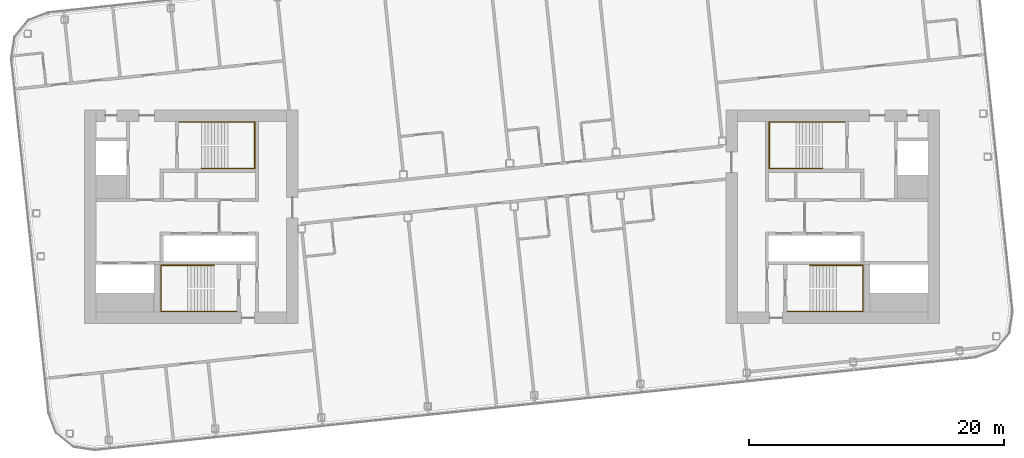
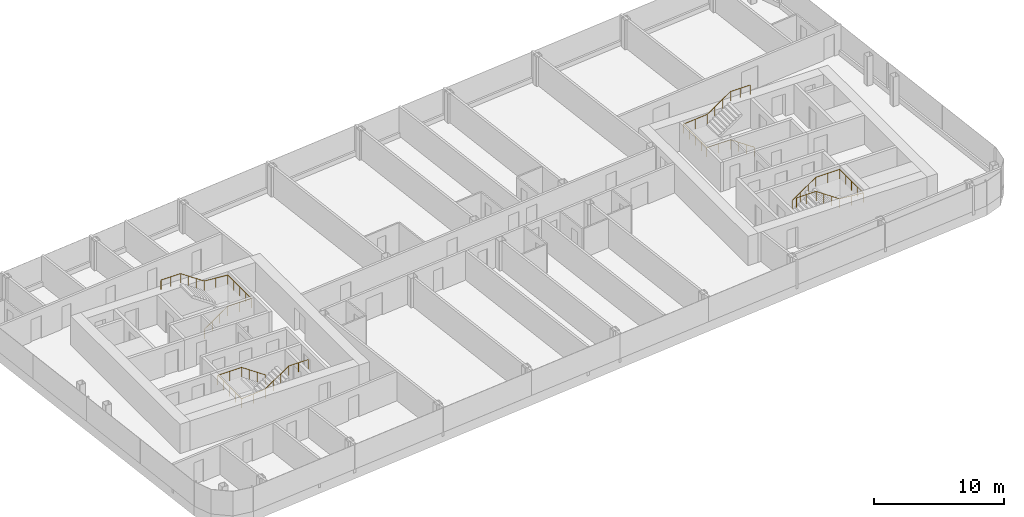
# One storey, part 27 of 27: 4 railings.
"""IFC4 building model written with IfcOpenShell, lengths in metres."""

from ifc_helpers import new_model, si_unit, direction, frame, origin, origin_2d, place, context, subcontext, project, spatial, circle, extrude, material, type_object, element, save


model = new_model("IFC4")

# Units and contexts
model_context = context("Model", 3, precision=1e-05, world=origin(), true_north=direction((0.0, 1.0)))
body_context = subcontext(model_context, "Body", "Model", "MODEL_VIEW")
ifc_project = project(units=[si_unit("LENGTHUNIT", "METRE"), si_unit("AREAUNIT", "SQUARE_METRE"), si_unit("VOLUMEUNIT", "CUBIC_METRE"), si_unit("PLANEANGLEUNIT", "RADIAN"), si_unit("MASSUNIT", "GRAM", prefix="KILO")], contexts=[model_context])

# Site, building, storey
site_placement = place(None, origin())
site = spatial("IfcSite", under=ifc_project, at=site_placement, CompositionType="ELEMENT")
building_placement = place(site_placement, origin())
building = spatial("IfcBuilding", under=site, at=building_placement, Name="Hakoniwa Tower and Hamabe Station Hall", CompositionType="ELEMENT")
storey_placement = place(building_placement, frame((0.0, 0.0, 248.60009765625)))
storey = spatial("IfcBuildingStorey", under=building, at=storey_placement, Name="L70", CompositionType="ELEMENT", Elevation=248.60009765625)

# Railings
ifc_material = material(Name="Stainless steel SUS304", Category="steel")
railing_type = type_object("IfcRailingType", Name="STAIR HANDRAIL 900", PredefinedType="HANDRAIL", material=ifc_material)
railing_1_placement = place(storey_placement, frame((-24.39990234375, 3.81005859375, 0.177734375)))
element("IfcRailing", 1, at=railing_1_placement, inside=storey, type_object=railing_type, Name="Handrail ST-1 L70 1", PredefinedType="HANDRAIL", context=body_context, shape_type="SweptSolid", body=[
    extrude(circle(Radius=0.02392578125, at=origin_2d()), frame((0.0, 0.0, 0.8759765625), z_axis=(0.825478349766, 0.0, 0.564433781827), x_axis=(0.0, 1.0, 0.0)), (0.0, 0.0, 1.0), 2.51953125),
    extrude(circle(Radius=0.02392578125, at=origin_2d()), frame((2.079833984375, 0.0, 2.2978515625), z_axis=(1.0, 0.0, 0.0), x_axis=(0.0, 1.0, 0.0)), (0.0, 0.0, 1.0), 2.110107421875),
    extrude(circle(Radius=0.02392578125, at=origin_2d()), frame((4.18994140625, 0.0, 2.2978515625), z_axis=(0.0, 1.0, 0.0), x_axis=(-1.0, 0.0, 0.0)), (0.0, 0.0, 1.0), 3.6298828125),
    extrude(circle(Radius=0.02392578125, at=origin_2d()), frame((4.18994140625, 3.6298828125, 2.2978515625), z_axis=(-0.996471417081, 0.0, 0.083932800143), x_axis=(0.0, -1.0, 0.0)), (0.0, 0.0, 1.0), 2.11767578125),
    extrude(circle(Radius=0.02392578125, at=origin_2d()), frame((2.079833984375, 3.6298828125, 2.4755859375), z_axis=(-0.825433201882, 0.0, 0.564499804456), x_axis=(0.0, -1.0, 0.0)), (0.0, 0.0, 1.0), 2.519775390625),
    extrude(circle(Radius=0.02392578125, at=origin_2d()), frame((0.0, 3.6298828125, 3.89794921875), z_axis=(-1.0, 0.0, 0.0), x_axis=(0.0, -1.0, 0.0)), (0.0, 0.0, 1.0), 1.739990234375),
    extrude(circle(Radius=0.02099609375, at=origin_2d()), origin(), (0.0, 0.0, 1.0), 0.851806640625),
    extrude(circle(Radius=0.02099609375, at=origin_2d()), frame((0.693359375, 0.0, 0.47412109375)), (0.0, 0.0, 1.0), 0.851806640625),
    extrude(circle(Radius=0.02099609375, at=origin_2d()), frame((1.386474609375, 0.0, 0.947998046875)), (0.0, 0.0, 1.0), 0.851806640625),
    extrude(circle(Radius=0.02099609375, at=origin_2d()), frame((2.079833984375, 0.0, 1.422119140625)), (0.0, 0.0, 1.0), 0.851806640625),
    extrude(circle(Radius=0.02099609375, at=origin_2d()), frame((3.134765625, 0.0, 1.422119140625)), (0.0, 0.0, 1.0), 0.851806640625),
    extrude(circle(Radius=0.02099609375, at=origin_2d()), frame((4.18994140625, 0.0, 1.422119140625)), (0.0, 0.0, 1.0), 0.851806640625),
    extrude(circle(Radius=0.02099609375, at=origin_2d()), frame((4.18994140625, 0.907470703125, 1.422119140625)), (0.0, 0.0, 1.0), 0.851806640625),
    extrude(circle(Radius=0.02099609375, at=origin_2d()), frame((4.18994140625, 1.81494140625, 1.422119140625)), (0.0, 0.0, 1.0), 0.851806640625),
    extrude(circle(Radius=0.02099609375, at=origin_2d()), frame((4.18994140625, 2.722412109375, 1.422119140625)), (0.0, 0.0, 1.0), 0.851806640625),
    extrude(circle(Radius=0.02099609375, at=origin_2d()), frame((4.18994140625, 3.6298828125, 1.422119140625)), (0.0, 0.0, 1.0), 0.851806640625),
    extrude(circle(Radius=0.02099609375, at=origin_2d()), frame((3.134765625, 3.6298828125, 1.510986328125)), (0.0, 0.0, 1.0), 0.851806640625),
    extrude(circle(Radius=0.02099609375, at=origin_2d()), frame((2.079833984375, 3.6298828125, 1.599853515625)), (0.0, 0.0, 1.0), 0.851806640625),
    extrude(circle(Radius=0.02099609375, at=origin_2d()), frame((1.386474609375, 3.6298828125, 2.073974609375)), (0.0, 0.0, 1.0), 0.851806640625),
    extrude(circle(Radius=0.02099609375, at=origin_2d()), frame((0.693359375, 3.6298828125, 2.548095703125)), (0.0, 0.0, 1.0), 0.851806640625),
    extrude(circle(Radius=0.02099609375, at=origin_2d()), frame((0.0, 3.6298828125, 3.022216796875)), (0.0, 0.0, 1.0), 0.851806640625),
    extrude(circle(Radius=0.02099609375, at=origin_2d()), frame((-0.8701171875, 3.6298828125, 3.022216796875)), (0.0, 0.0, 1.0), 0.851806640625),
    extrude(circle(Radius=0.02099609375, at=origin_2d()), frame((-1.739990234375, 3.6298828125, 3.022216796875)), (0.0, 0.0, 1.0), 0.851806640625),
])
railing_2_placement = place(storey_placement, frame((-23.39990234375, -3.81005859375, 0.177734375)))
element("IfcRailing", 2, at=railing_2_placement, inside=storey, type_object=railing_type, Name="Handrail ST-2 L70 1", PredefinedType="HANDRAIL", context=body_context, shape_type="SweptSolid", body=[
    extrude(circle(Radius=0.02392578125, at=origin_2d()), frame((0.0, 0.0, 0.8759765625), z_axis=(-0.82550921652, 0.0, 0.564388636881), x_axis=(0.0, -1.0, 0.0)), (0.0, 0.0, 1.0), 2.519775390625),
    extrude(circle(Radius=0.02392578125, at=origin_2d()), frame((-2.080078125, 0.0, 2.2978515625), z_axis=(-1.0, 0.0, 0.0), x_axis=(0.0, -1.0, 0.0)), (0.0, 0.0, 1.0), 2.110107421875),
    extrude(circle(Radius=0.02392578125, at=origin_2d()), frame((-4.190185546875, 0.0, 2.2978515625), z_axis=(0.0, -1.0, 0.0), x_axis=(1.0, 0.0, 0.0)), (0.0, 0.0, 1.0), 3.6298828125),
    extrude(circle(Radius=0.02392578125, at=origin_2d()), frame((-4.190185546875, -3.6298828125, 2.2978515625), z_axis=(0.996471417081, 0.0, 0.083932800143), x_axis=(0.0, 1.0, 0.0)), (0.0, 0.0, 1.0), 2.11767578125),
    extrude(circle(Radius=0.02392578125, at=origin_2d()), frame((-2.080078125, -3.6298828125, 2.4755859375), z_axis=(0.825464074169, 0.0, 0.564454659168), x_axis=(0.0, 1.0, 0.0)), (0.0, 0.0, 1.0), 2.519775390625),
    extrude(circle(Radius=0.02392578125, at=origin_2d()), frame((0.0, -3.6298828125, 3.89794921875), z_axis=(1.0, 0.0, 0.0), x_axis=(0.0, 1.0, 0.0)), (0.0, 0.0, 1.0), 1.739990234375),
    extrude(circle(Radius=0.02099609375, at=origin_2d()), origin(), (0.0, 0.0, 1.0), 0.851806640625),
    extrude(circle(Radius=0.02099609375, at=origin_2d()), frame((-0.693359375, 0.0, 0.47412109375)), (0.0, 0.0, 1.0), 0.851806640625),
    extrude(circle(Radius=0.02099609375, at=origin_2d()), frame((-1.38671875, 0.0, 0.947998046875)), (0.0, 0.0, 1.0), 0.851806640625),
    extrude(circle(Radius=0.02099609375, at=origin_2d()), frame((-2.080078125, 0.0, 1.422119140625)), (0.0, 0.0, 1.0), 0.851806640625),
    extrude(circle(Radius=0.02099609375, at=origin_2d()), frame((-3.13525390625, 0.0, 1.422119140625)), (0.0, 0.0, 1.0), 0.851806640625),
    extrude(circle(Radius=0.02099609375, at=origin_2d()), frame((-4.190185546875, 0.0, 1.422119140625)), (0.0, 0.0, 1.0), 0.851806640625),
    extrude(circle(Radius=0.02099609375, at=origin_2d()), frame((-4.190185546875, -0.907470703125, 1.422119140625)), (0.0, 0.0, 1.0), 0.851806640625),
    extrude(circle(Radius=0.02099609375, at=origin_2d()), frame((-4.190185546875, -1.81494140625, 1.422119140625)), (0.0, 0.0, 1.0), 0.851806640625),
    extrude(circle(Radius=0.02099609375, at=origin_2d()), frame((-4.190185546875, -2.722412109375, 1.422119140625)), (0.0, 0.0, 1.0), 0.851806640625),
    extrude(circle(Radius=0.02099609375, at=origin_2d()), frame((-4.190185546875, -3.6298828125, 1.422119140625)), (0.0, 0.0, 1.0), 0.851806640625),
    extrude(circle(Radius=0.02099609375, at=origin_2d()), frame((-3.13525390625, -3.6298828125, 1.510986328125)), (0.0, 0.0, 1.0), 0.851806640625),
    extrude(circle(Radius=0.02099609375, at=origin_2d()), frame((-2.080078125, -3.6298828125, 1.599853515625)), (0.0, 0.0, 1.0), 0.851806640625),
    extrude(circle(Radius=0.02099609375, at=origin_2d()), frame((-1.38671875, -3.6298828125, 2.073974609375)), (0.0, 0.0, 1.0), 0.851806640625),
    extrude(circle(Radius=0.02099609375, at=origin_2d()), frame((-0.693359375, -3.6298828125, 2.548095703125)), (0.0, 0.0, 1.0), 0.851806640625),
    extrude(circle(Radius=0.02099609375, at=origin_2d()), frame((0.0, -3.6298828125, 3.022216796875)), (0.0, 0.0, 1.0), 0.851806640625),
    extrude(circle(Radius=0.02099609375, at=origin_2d()), frame((0.8701171875, -3.6298828125, 3.022216796875)), (0.0, 0.0, 1.0), 0.851806640625),
    extrude(circle(Radius=0.02099609375, at=origin_2d()), frame((1.739990234375, -3.6298828125, 3.022216796875)), (0.0, 0.0, 1.0), 0.851806640625),
])
railing_3_placement = place(storey_placement, frame((24.39990234375, 3.81005859375, 0.177734375)))
element("IfcRailing", 3, at=railing_3_placement, inside=storey, type_object=railing_type, Name="Handrail ST-3 L70 1", PredefinedType="HANDRAIL", context=body_context, shape_type="SweptSolid", body=[
    extrude(circle(Radius=0.02392578125, at=origin_2d()), frame((0.0, 0.0, 0.8759765625), z_axis=(-0.825478349766, 0.0, 0.564433781827), x_axis=(0.0, -1.0, 0.0)), (0.0, 0.0, 1.0), 2.51953125),
    extrude(circle(Radius=0.02392578125, at=origin_2d()), frame((-2.079833984375, 0.0, 2.2978515625), z_axis=(-1.0, 0.0, 0.0), x_axis=(0.0, -1.0, 0.0)), (0.0, 0.0, 1.0), 2.110107421875),
    extrude(circle(Radius=0.02392578125, at=origin_2d()), frame((-4.18994140625, 0.0, 2.2978515625), z_axis=(0.0, 1.0, 0.0), x_axis=(-1.0, 0.0, 0.0)), (0.0, 0.0, 1.0), 3.6298828125),
    extrude(circle(Radius=0.02392578125, at=origin_2d()), frame((-4.18994140625, 3.6298828125, 2.2978515625), z_axis=(0.996471417081, 0.0, 0.083932800143), x_axis=(0.0, 1.0, 0.0)), (0.0, 0.0, 1.0), 2.11767578125),
    extrude(circle(Radius=0.02392578125, at=origin_2d()), frame((-2.079833984375, 3.6298828125, 2.4755859375), z_axis=(0.825433201882, 0.0, 0.564499804456), x_axis=(0.0, 1.0, 0.0)), (0.0, 0.0, 1.0), 2.519775390625),
    extrude(circle(Radius=0.02392578125, at=origin_2d()), frame((0.0, 3.6298828125, 3.89794921875), z_axis=(1.0, 0.0, 0.0), x_axis=(0.0, 1.0, 0.0)), (0.0, 0.0, 1.0), 1.739990234375),
    extrude(circle(Radius=0.02099609375, at=origin_2d()), origin(), (0.0, 0.0, 1.0), 0.851806640625),
    extrude(circle(Radius=0.02099609375, at=origin_2d()), frame((-0.693359375, 0.0, 0.47412109375)), (0.0, 0.0, 1.0), 0.851806640625),
    extrude(circle(Radius=0.02099609375, at=origin_2d()), frame((-1.386474609375, 0.0, 0.947998046875)), (0.0, 0.0, 1.0), 0.851806640625),
    extrude(circle(Radius=0.02099609375, at=origin_2d()), frame((-2.079833984375, 0.0, 1.422119140625)), (0.0, 0.0, 1.0), 0.851806640625),
    extrude(circle(Radius=0.02099609375, at=origin_2d()), frame((-3.134765625, 0.0, 1.422119140625)), (0.0, 0.0, 1.0), 0.851806640625),
    extrude(circle(Radius=0.02099609375, at=origin_2d()), frame((-4.18994140625, 0.0, 1.422119140625)), (0.0, 0.0, 1.0), 0.851806640625),
    extrude(circle(Radius=0.02099609375, at=origin_2d()), frame((-4.18994140625, 0.907470703125, 1.422119140625)), (0.0, 0.0, 1.0), 0.851806640625),
    extrude(circle(Radius=0.02099609375, at=origin_2d()), frame((-4.18994140625, 1.81494140625, 1.422119140625)), (0.0, 0.0, 1.0), 0.851806640625),
    extrude(circle(Radius=0.02099609375, at=origin_2d()), frame((-4.18994140625, 2.722412109375, 1.422119140625)), (0.0, 0.0, 1.0), 0.851806640625),
    extrude(circle(Radius=0.02099609375, at=origin_2d()), frame((-4.18994140625, 3.6298828125, 1.422119140625)), (0.0, 0.0, 1.0), 0.851806640625),
    extrude(circle(Radius=0.02099609375, at=origin_2d()), frame((-3.134765625, 3.6298828125, 1.510986328125)), (0.0, 0.0, 1.0), 0.851806640625),
    extrude(circle(Radius=0.02099609375, at=origin_2d()), frame((-2.079833984375, 3.6298828125, 1.599853515625)), (0.0, 0.0, 1.0), 0.851806640625),
    extrude(circle(Radius=0.02099609375, at=origin_2d()), frame((-1.386474609375, 3.6298828125, 2.073974609375)), (0.0, 0.0, 1.0), 0.851806640625),
    extrude(circle(Radius=0.02099609375, at=origin_2d()), frame((-0.693359375, 3.6298828125, 2.548095703125)), (0.0, 0.0, 1.0), 0.851806640625),
    extrude(circle(Radius=0.02099609375, at=origin_2d()), frame((0.0, 3.6298828125, 3.022216796875)), (0.0, 0.0, 1.0), 0.851806640625),
    extrude(circle(Radius=0.02099609375, at=origin_2d()), frame((0.8701171875, 3.6298828125, 3.022216796875)), (0.0, 0.0, 1.0), 0.851806640625),
    extrude(circle(Radius=0.02099609375, at=origin_2d()), frame((1.739990234375, 3.6298828125, 3.022216796875)), (0.0, 0.0, 1.0), 0.851806640625),
])
railing_4_placement = place(storey_placement, frame((23.39990234375, -3.81005859375, 0.177734375)))
element("IfcRailing", 4, at=railing_4_placement, inside=storey, type_object=railing_type, Name="Handrail ST-4 L70 1", PredefinedType="HANDRAIL", context=body_context, shape_type="SweptSolid", body=[
    extrude(circle(Radius=0.02392578125, at=origin_2d()), frame((0.0, 0.0, 0.8759765625), z_axis=(0.82550921652, 0.0, 0.564388636881), x_axis=(0.0, 1.0, 0.0)), (0.0, 0.0, 1.0), 2.519775390625),
    extrude(circle(Radius=0.02392578125, at=origin_2d()), frame((2.080078125, 0.0, 2.2978515625), z_axis=(1.0, 0.0, 0.0), x_axis=(0.0, 1.0, 0.0)), (0.0, 0.0, 1.0), 2.110107421875),
    extrude(circle(Radius=0.02392578125, at=origin_2d()), frame((4.190185546875, 0.0, 2.2978515625), z_axis=(0.0, -1.0, 0.0), x_axis=(1.0, 0.0, 0.0)), (0.0, 0.0, 1.0), 3.6298828125),
    extrude(circle(Radius=0.02392578125, at=origin_2d()), frame((4.190185546875, -3.6298828125, 2.2978515625), z_axis=(-0.996471417081, 0.0, 0.083932800143), x_axis=(0.0, -1.0, 0.0)), (0.0, 0.0, 1.0), 2.11767578125),
    extrude(circle(Radius=0.02392578125, at=origin_2d()), frame((2.080078125, -3.6298828125, 2.4755859375), z_axis=(-0.825464074169, 0.0, 0.564454659168), x_axis=(0.0, -1.0, 0.0)), (0.0, 0.0, 1.0), 2.519775390625),
    extrude(circle(Radius=0.02392578125, at=origin_2d()), frame((0.0, -3.6298828125, 3.89794921875), z_axis=(-1.0, 0.0, 0.0), x_axis=(0.0, -1.0, 0.0)), (0.0, 0.0, 1.0), 1.739990234375),
    extrude(circle(Radius=0.02099609375, at=origin_2d()), origin(), (0.0, 0.0, 1.0), 0.851806640625),
    extrude(circle(Radius=0.02099609375, at=origin_2d()), frame((0.693359375, 0.0, 0.47412109375)), (0.0, 0.0, 1.0), 0.851806640625),
    extrude(circle(Radius=0.02099609375, at=origin_2d()), frame((1.38671875, 0.0, 0.947998046875)), (0.0, 0.0, 1.0), 0.851806640625),
    extrude(circle(Radius=0.02099609375, at=origin_2d()), frame((2.080078125, 0.0, 1.422119140625)), (0.0, 0.0, 1.0), 0.851806640625),
    extrude(circle(Radius=0.02099609375, at=origin_2d()), frame((3.13525390625, 0.0, 1.422119140625)), (0.0, 0.0, 1.0), 0.851806640625),
    extrude(circle(Radius=0.02099609375, at=origin_2d()), frame((4.190185546875, 0.0, 1.422119140625)), (0.0, 0.0, 1.0), 0.851806640625),
    extrude(circle(Radius=0.02099609375, at=origin_2d()), frame((4.190185546875, -0.907470703125, 1.422119140625)), (0.0, 0.0, 1.0), 0.851806640625),
    extrude(circle(Radius=0.02099609375, at=origin_2d()), frame((4.190185546875, -1.81494140625, 1.422119140625)), (0.0, 0.0, 1.0), 0.851806640625),
    extrude(circle(Radius=0.02099609375, at=origin_2d()), frame((4.190185546875, -2.722412109375, 1.422119140625)), (0.0, 0.0, 1.0), 0.851806640625),
    extrude(circle(Radius=0.02099609375, at=origin_2d()), frame((4.190185546875, -3.6298828125, 1.422119140625)), (0.0, 0.0, 1.0), 0.851806640625),
    extrude(circle(Radius=0.02099609375, at=origin_2d()), frame((3.13525390625, -3.6298828125, 1.510986328125)), (0.0, 0.0, 1.0), 0.851806640625),
    extrude(circle(Radius=0.02099609375, at=origin_2d()), frame((2.080078125, -3.6298828125, 1.599853515625)), (0.0, 0.0, 1.0), 0.851806640625),
    extrude(circle(Radius=0.02099609375, at=origin_2d()), frame((1.38671875, -3.6298828125, 2.073974609375)), (0.0, 0.0, 1.0), 0.851806640625),
    extrude(circle(Radius=0.02099609375, at=origin_2d()), frame((0.693359375, -3.6298828125, 2.548095703125)), (0.0, 0.0, 1.0), 0.851806640625),
    extrude(circle(Radius=0.02099609375, at=origin_2d()), frame((0.0, -3.6298828125, 3.022216796875)), (0.0, 0.0, 1.0), 0.851806640625),
    extrude(circle(Radius=0.02099609375, at=origin_2d()), frame((-0.8701171875, -3.6298828125, 3.022216796875)), (0.0, 0.0, 1.0), 0.851806640625),
    extrude(circle(Radius=0.02099609375, at=origin_2d()), frame((-1.739990234375, -3.6298828125, 3.022216796875)), (0.0, 0.0, 1.0), 0.851806640625),
])

save(model, "model.ifc")
